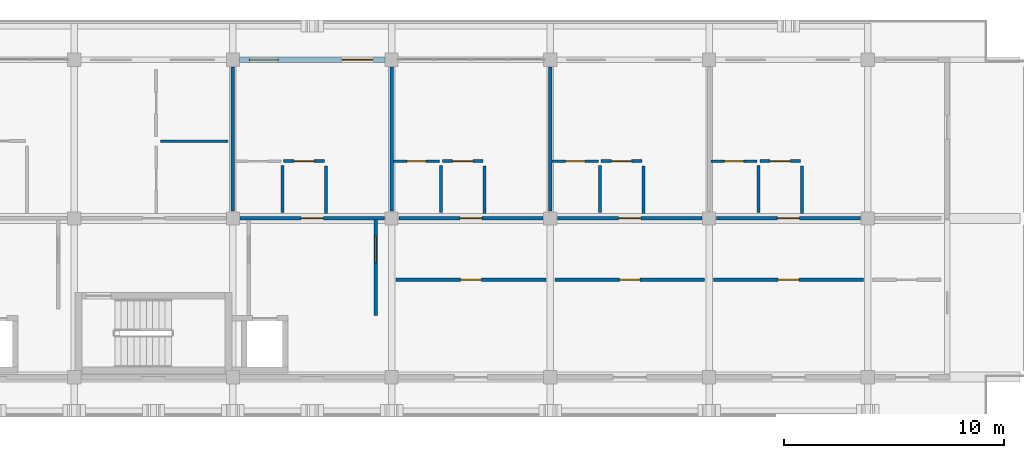
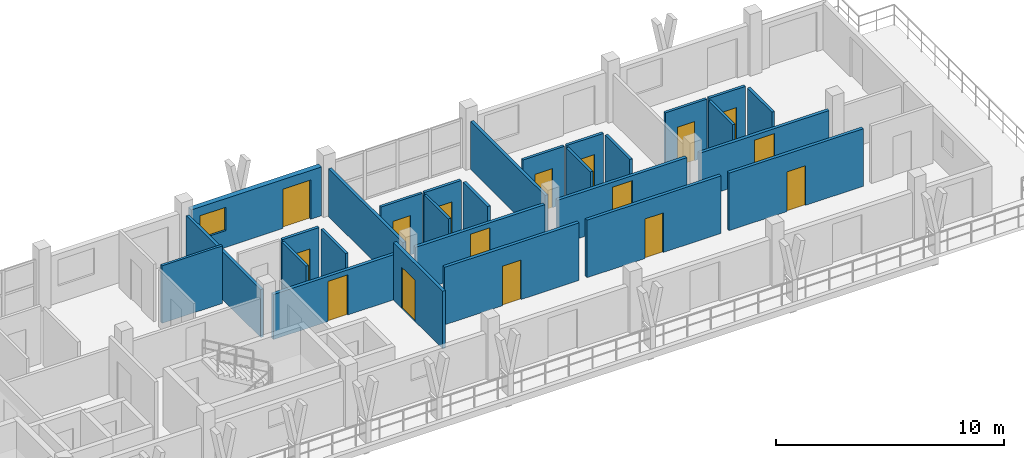
# One storey, part 38 of 60: 28 walls, 16 doors, 1 window, 17 openings.
"""IFC4 building model written with IfcOpenShell, lengths in metres."""

from ifc_helpers import new_model, si_unit, direction, frame, frame_2d, origin, place, context, subcontext, project, spatial, rectangle, extrude, material, layer, layer_set, type_object, element, fill, save


model = new_model("IFC4")

# Units and contexts
model_context = context("Model", 3, precision=1e-05, world=origin(), true_north=direction((0.0, 1.0)))
body_context = subcontext(model_context, "Body", "Model", "MODEL_VIEW")
ifc_project = project(units=[si_unit("LENGTHUNIT", "METRE"), si_unit("AREAUNIT", "SQUARE_METRE"), si_unit("VOLUMEUNIT", "CUBIC_METRE"), si_unit("PLANEANGLEUNIT", "RADIAN"), si_unit("MASSUNIT", "GRAM", prefix="KILO")], contexts=[model_context])

# Site, building, storey
site_placement = place(None, origin())
site = spatial("IfcSite", under=ifc_project, at=site_placement, CompositionType="ELEMENT")
building_placement = place(site_placement, origin())
building = spatial("IfcBuilding", under=site, at=building_placement, Name="Suanplinth Sawtooth Commons", CompositionType="ELEMENT")
storey_placement = place(building_placement, frame((0.0, 0.0, 31.5)))
storey = spatial("IfcBuildingStorey", under=building, at=storey_placement, Name="L09", CompositionType="ELEMENT", Elevation=31.5)

# Wall, openings, door, window
ifc_material_1 = material(Name="Precast concrete C40/50", Category="concrete")
ifc_layer_1 = layer(ifc_material_1, 0.260009765625, Name="Insulated precast courtyard facade wall 260mm")
ifc_layer_set_1 = layer_set([ifc_layer_1], Name="Precast concrete C40/50")
wall_type_1 = type_object("IfcWallType", Name="W-EX02", PredefinedType="ELEMENTEDWALL", material=ifc_layer_set_1)
wall_1_placement = place(storey_placement, frame((65.10009765625, 122.39990234375, 0.0), z_axis=(0.0, 0.0, 1.0), x_axis=(1.0, 0.0, 0.0)))
wall_1 = element("IfcWall", 1, at=wall_1_placement, inside=storey, type_object=wall_type_1, Name="Facade Wall W-L09-A-N-7", PredefinedType="ELEMENTEDWALL", context=body_context, shape_type="SweptSolid", body=[
    extrude(rectangle(XDim=6.599853515625, YDim=0.260009765625, at=frame_2d((3.2998046875, 0.0))), origin(), (0.0, 0.0, 1.0), 2.614990234375),
])
opening_1_placement = place(wall_1_placement, frame((4.64990234375, 0.0, 0.0)))
opening_1 = element("IfcOpeningElement", 2, at=opening_1_placement, cuts=wall_1, Name="Opening ED0697", PredefinedType="OPENING", context=body_context, shape_type="SweptSolid", body=[
    extrude(rectangle(XDim=1.39990234375, YDim=2.10009765625, at=frame_2d((0.699951171875, 1.050048828125))), frame((0.0, 0.14501953125, 0.0), z_axis=(0.0, -1.0, 0.0), x_axis=(1.0, 0.0, 0.0)), (0.0, 0.0, 1.0), 0.289794921875),
])
opening_2_placement = place(wall_1_placement, frame((0.449951171875, 0.0, 0.89990234375)))
opening_2 = element("IfcOpeningElement", 3, at=opening_2_placement, cuts=wall_1, Name="Opening W0779", PredefinedType="OPENING", context=body_context, shape_type="SweptSolid", body=[
    extrude(rectangle(XDim=1.300048828125, YDim=1.25, at=frame_2d((0.64990234375, 0.625))), frame((0.0, 0.14501953125, 0.0), z_axis=(0.0, -1.0, 0.0), x_axis=(1.0, 0.0, 0.0)), (0.0, 0.0, 1.0), 0.289794921875),
])
ifc_material_2 = material(Name="Anodized aluminium and low-E glass", Category="aluminium")
door_type_1 = type_object("IfcDoorType", Name="SD-07", OperationType="SLIDING_TO_RIGHT", PredefinedType="DOOR", material=ifc_material_2)
door_1_placement = place(opening_1_placement, frame((1.39990234375, 0.0, 0.0), z_axis=(0.0, 0.0, 1.0), x_axis=(-1.0, 0.0, 0.0)))
door_1 = element("IfcDoor", 4, at=door_1_placement, inside=storey, type_object=door_type_1, Name="Balcony Sliding Door L09-A-N-7", OperationType="SLIDING_TO_RIGHT", OverallHeight=2.10009765625, OverallWidth=1.39990234375, PredefinedType="DOOR", context=body_context, shape_type="SweptSolid", body=[
    extrude(rectangle(XDim=1.39990234375, YDim=2.10009765625, at=frame_2d((0.699951171875, 1.050048828125))), frame((0.0, 0.02490234375, 0.0), z_axis=(0.0, -1.0, 0.0), x_axis=(1.0, 0.0, 0.0)), (0.0, 0.0, 1.0), 0.050048828125),
])
fill(opening_1, door_1)
ifc_material_3 = material(Name="Thermally broken aluminium and low-E double glazing", Category="aluminium")
window_type = type_object("IfcWindowType", Name="WN-24", PartitioningType="SINGLE_PANEL", PredefinedType="WINDOW", material=ifc_material_3)
window_placement = place(opening_2_placement, origin())
window = element("IfcWindow", 5, at=window_placement, inside=storey, type_object=window_type, Name="Window L09-A-N-7", OverallHeight=1.25, OverallWidth=1.300048828125, PartitioningType="SINGLE_PANEL", PredefinedType="WINDOW", context=body_context, shape_type="SweptSolid", body=[
    extrude(rectangle(XDim=1.300048828125, YDim=1.25, at=frame_2d((0.64990234375, 0.625))), frame((0.0, 0.030029296875, 0.0), z_axis=(0.0, -1.0, 0.0), x_axis=(1.0, 0.0, 0.0)), (0.0, 0.0, 1.0), 0.06005859375),
])
fill(opening_2, window)

# Wall, opening, door
ifc_layer_2 = layer(ifc_material_1, 0.159912109375, Name="Fire-rated corridor and lobby wall 160mm")
ifc_layer_set_2 = layer_set([ifc_layer_2], Name="Precast concrete C40/50")
wall_type_2 = type_object("IfcWallType", Name="W-FW01", PredefinedType="PARTITIONING", material=ifc_layer_set_2)
wall_2_placement = place(storey_placement, frame((71.280029296875, 110.800048828125, 0.0), z_axis=(0.0, 0.0, 1.0), x_axis=(0.0, 1.0, 0.0)))
wall_2 = element("IfcWall", 6, at=wall_2_placement, inside=storey, type_object=wall_type_2, Name="W-L09-C-A2-LOB-E", PredefinedType="PARTITIONING", context=body_context, shape_type="SweptSolid", body=[
    extrude(rectangle(XDim=4.320068359375, YDim=0.159912109375, at=frame_2d((2.16015625, 0.0))), origin(), (0.0, 0.0, 1.0), 3.080078125),
])
opening_3_placement = place(wall_2_placement, frame((2.39990234375, 0.0, 0.0)))
opening_3 = element("IfcOpeningElement", 7, at=opening_3_placement, cuts=wall_2, Name="Opening FD0128", PredefinedType="OPENING", context=body_context, shape_type="SweptSolid", body=[
    extrude(rectangle(XDim=1.199951171875, YDim=2.199951171875, at=frame_2d((0.60009765625, 1.10009765625))), frame((0.0, 0.0947265625, 0.0), z_axis=(0.0, -1.0, 0.0), x_axis=(1.0, 0.0, 0.0)), (0.0, 0.0, 1.0), 0.189697265625),
])
ifc_material_4 = material(Name="Teak hardwood fire-rated door assembly", Category="wood")
door_type_2 = type_object("IfcDoorType", Name="FD-02", OperationType="NOTDEFINED", PredefinedType="DOOR", material=ifc_material_4)
door_2_placement = place(opening_3_placement, frame((1.199951171875, 0.0, 0.0), z_axis=(0.0, 0.0, 1.0), x_axis=(-1.0, 0.0, 0.0)))
door_2 = element("IfcDoor", 8, at=door_2_placement, inside=storey, type_object=door_type_2, Name="Lobby Fire Door FD0128", OperationType="SINGLE_SWING_LEFT", OverallHeight=2.199951171875, OverallWidth=1.199951171875, PredefinedType="DOOR", context=body_context, shape_type="SweptSolid", body=[
    extrude(rectangle(XDim=1.199951171875, YDim=2.199951171875, at=frame_2d((0.60009765625, 1.10009765625))), frame((0.0, 0.02490234375, 0.0), z_axis=(0.0, -1.0, 0.0), x_axis=(1.0, 0.0, 0.0)), (0.0, 0.0, 1.0), 0.050048828125),
])
fill(opening_3, door_2)

wall_3_placement = place(storey_placement, frame((65.1298828125, 115.199951171875, 0.0), z_axis=(0.0, 0.0, 1.0), x_axis=(1.0, 0.0, 0.0)))
wall_3 = element("IfcWall", 9, at=wall_3_placement, inside=storey, type_object=wall_type_2, Name="W-A-L09-U05-COR", PredefinedType="PARTITIONING", context=body_context, shape_type="SweptSolid", body=[
    extrude(rectangle(XDim=6.5400390625, YDim=0.159912109375, at=frame_2d((3.27001953125, 0.0))), origin(), (0.0, 0.0, 1.0), 2.4150390625),
])
opening_4_placement = place(wall_3_placement, frame((2.77001953125, 0.0, 0.0)))
opening_4 = element("IfcOpeningElement", 10, at=opening_4_placement, cuts=wall_3, Name="Opening FD1773", PredefinedType="OPENING", context=body_context, shape_type="SweptSolid", body=[
    extrude(rectangle(XDim=1.0, YDim=2.14990234375, at=frame_2d((0.5, 1.074951171875))), frame((0.0, 0.0947265625, 0.0), z_axis=(0.0, -1.0, 0.0), x_axis=(1.0, 0.0, 0.0)), (0.0, 0.0, 1.0), 0.189697265625),
])
door_type_3 = type_object("IfcDoorType", Name="FD-03", OperationType="NOTDEFINED", PredefinedType="DOOR", material=ifc_material_4)
door_3_placement = place(opening_4_placement, origin())
door_3 = element("IfcDoor", 11, at=door_3_placement, inside=storey, type_object=door_type_3, Name="Unit Entrance Door FD1773", OperationType="SINGLE_SWING_LEFT", OverallHeight=2.14990234375, OverallWidth=1.0, PredefinedType="DOOR", context=body_context, shape_type="SweptSolid", body=[
    extrude(rectangle(XDim=1.0, YDim=2.14990234375, at=frame_2d((0.5, 1.074951171875))), frame((0.0, 0.02490234375, 0.0), z_axis=(0.0, -1.0, 0.0), x_axis=(1.0, 0.0, 0.0)), (0.0, 0.0, 1.0), 0.050048828125),
])
fill(opening_4, door_3)

wall_4_placement = place(storey_placement, frame((72.330078125, 115.199951171875, 0.0), z_axis=(0.0, 0.0, 1.0), x_axis=(1.0, 0.0, 0.0)))
wall_4 = element("IfcWall", 12, at=wall_4_placement, inside=storey, type_object=wall_type_2, Name="W-A-L09-U06-COR", PredefinedType="PARTITIONING", context=body_context, shape_type="SweptSolid", body=[
    extrude(rectangle(XDim=6.5400390625, YDim=0.159912109375, at=frame_2d((3.27001953125, 0.0))), origin(), (0.0, 0.0, 1.0), 2.4150390625),
])
opening_5_placement = place(wall_4_placement, frame((2.77001953125, 0.0, 0.0)))
opening_5 = element("IfcOpeningElement", 13, at=opening_5_placement, cuts=wall_4, Name="Opening FD1776", PredefinedType="OPENING", context=body_context, shape_type="SweptSolid", body=[
    extrude(rectangle(XDim=1.0, YDim=2.14990234375, at=frame_2d((0.5, 1.074951171875))), frame((0.0, 0.0947265625, 0.0), z_axis=(0.0, -1.0, 0.0), x_axis=(1.0, 0.0, 0.0)), (0.0, 0.0, 1.0), 0.189697265625),
])
door_4_placement = place(opening_5_placement, origin())
door_4 = element("IfcDoor", 14, at=door_4_placement, inside=storey, type_object=door_type_3, Name="Unit Entrance Door FD1776", OperationType="SINGLE_SWING_RIGHT", OverallHeight=2.14990234375, OverallWidth=1.0, PredefinedType="DOOR", context=body_context, shape_type="SweptSolid", body=[
    extrude(rectangle(XDim=1.0, YDim=2.14990234375, at=frame_2d((0.5, 1.074951171875))), frame((0.0, 0.02490234375, 0.0), z_axis=(0.0, -1.0, 0.0), x_axis=(1.0, 0.0, 0.0)), (0.0, 0.0, 1.0), 0.050048828125),
])
fill(opening_5, door_4)

wall_5_placement = place(storey_placement, frame((79.530029296875, 115.199951171875, 0.0), z_axis=(0.0, 0.0, 1.0), x_axis=(1.0, 0.0, 0.0)))
wall_5 = element("IfcWall", 15, at=wall_5_placement, inside=storey, type_object=wall_type_2, Name="W-A-L09-U07-COR", PredefinedType="PARTITIONING", context=body_context, shape_type="SweptSolid", body=[
    extrude(rectangle(XDim=6.5400390625, YDim=0.159912109375, at=frame_2d((3.27001953125, 0.0))), origin(), (0.0, 0.0, 1.0), 2.4150390625),
])
opening_6_placement = place(wall_5_placement, frame((2.77001953125, 0.0, 0.0)))
opening_6 = element("IfcOpeningElement", 16, at=opening_6_placement, cuts=wall_5, Name="Opening FD1779", PredefinedType="OPENING", context=body_context, shape_type="SweptSolid", body=[
    extrude(rectangle(XDim=1.0, YDim=2.14990234375, at=frame_2d((0.5, 1.074951171875))), frame((0.0, 0.0947265625, 0.0), z_axis=(0.0, -1.0, 0.0), x_axis=(1.0, 0.0, 0.0)), (0.0, 0.0, 1.0), 0.189697265625),
])
door_5_placement = place(opening_6_placement, origin())
door_5 = element("IfcDoor", 17, at=door_5_placement, inside=storey, type_object=door_type_3, Name="Unit Entrance Door FD1779", OperationType="SINGLE_SWING_LEFT", OverallHeight=2.14990234375, OverallWidth=1.0, PredefinedType="DOOR", context=body_context, shape_type="SweptSolid", body=[
    extrude(rectangle(XDim=1.0, YDim=2.14990234375, at=frame_2d((0.5, 1.074951171875))), frame((0.0, 0.02490234375, 0.0), z_axis=(0.0, -1.0, 0.0), x_axis=(1.0, 0.0, 0.0)), (0.0, 0.0, 1.0), 0.050048828125),
])
fill(opening_6, door_5)

wall_6_placement = place(storey_placement, frame((86.72998046875, 115.199951171875, 0.0), z_axis=(0.0, 0.0, 1.0), x_axis=(1.0, 0.0, 0.0)))
wall_6 = element("IfcWall", 18, at=wall_6_placement, inside=storey, type_object=wall_type_2, Name="W-A-L09-U08-COR-S1", PredefinedType="PARTITIONING", context=body_context, shape_type="SweptSolid", body=[
    extrude(rectangle(XDim=6.5400390625, YDim=0.159912109375, at=frame_2d((3.27001953125, 0.0))), origin(), (0.0, 0.0, 1.0), 2.4150390625),
])
opening_7_placement = place(wall_6_placement, frame((2.77001953125, 0.0, 0.0)))
opening_7 = element("IfcOpeningElement", 19, at=opening_7_placement, cuts=wall_6, Name="Opening FD1782", PredefinedType="OPENING", context=body_context, shape_type="SweptSolid", body=[
    extrude(rectangle(XDim=1.0, YDim=2.14990234375, at=frame_2d((0.5, 1.074951171875))), frame((0.0, 0.0947265625, 0.0), z_axis=(0.0, -1.0, 0.0), x_axis=(1.0, 0.0, 0.0)), (0.0, 0.0, 1.0), 0.189697265625),
])
door_6_placement = place(opening_7_placement, origin())
door_6 = element("IfcDoor", 20, at=door_6_placement, inside=storey, type_object=door_type_3, Name="Unit Entrance Door FD1782", OperationType="SINGLE_SWING_RIGHT", OverallHeight=2.14990234375, OverallWidth=1.0, PredefinedType="DOOR", context=body_context, shape_type="SweptSolid", body=[
    extrude(rectangle(XDim=1.0, YDim=2.14990234375, at=frame_2d((0.5, 1.074951171875))), frame((0.0, 0.02490234375, 0.0), z_axis=(0.0, -1.0, 0.0), x_axis=(1.0, 0.0, 0.0)), (0.0, 0.0, 1.0), 0.050048828125),
])
fill(opening_7, door_6)

wall_7_placement = place(storey_placement, frame((72.199951171875, 112.419921875, 0.0), z_axis=(0.0, 0.0, 1.0), x_axis=(1.0, 0.0, 0.0)))
wall_7 = element("IfcWall", 21, at=wall_7_placement, inside=storey, type_object=wall_type_2, Name="W-A-L09-COURTROOM-12-COR", PredefinedType="PARTITIONING", context=body_context, shape_type="SweptSolid", body=[
    extrude(rectangle(XDim=6.800048828125, YDim=0.159912109375, at=frame_2d((3.39990234375, 0.0))), origin(), (0.0, 0.0, 1.0), 3.080078125),
])
opening_8_placement = place(wall_7_placement, frame((2.929931640625, 0.0, 0.0)))
opening_8 = element("IfcOpeningElement", 22, at=opening_8_placement, cuts=wall_7, Name="Opening D1789", PredefinedType="OPENING", context=body_context, shape_type="SweptSolid", body=[
    extrude(rectangle(XDim=0.93994140625, YDim=2.1201171875, at=frame_2d((0.469970703125, 1.06005859375))), frame((0.0, 0.0947265625, 0.0), z_axis=(0.0, -1.0, 0.0), x_axis=(1.0, 0.0, 0.0)), (0.0, 0.0, 1.0), 0.189697265625),
])
ifc_material_5 = material(Name="Teak hardwood", Category="wood")
door_type_4 = type_object("IfcDoorType", Name="D-15", OperationType="NOTDEFINED", PredefinedType="DOOR", material=ifc_material_5)
door_7_placement = place(opening_8_placement, frame((0.93994140625, 0.0, 0.0), z_axis=(0.0, 0.0, 1.0), x_axis=(-1.0, 0.0, 0.0)))
door_7 = element("IfcDoor", 23, at=door_7_placement, inside=storey, type_object=door_type_4, Name="Study Studio Door D1789", OperationType="SINGLE_SWING_LEFT", OverallHeight=2.1201171875, OverallWidth=0.93994140625, PredefinedType="DOOR", context=body_context, shape_type="SweptSolid", body=[
    extrude(rectangle(XDim=0.93994140625, YDim=2.1201171875, at=frame_2d((0.469970703125, 1.06005859375))), frame((0.0, 0.02490234375, 0.0), z_axis=(0.0, -1.0, 0.0), x_axis=(1.0, 0.0, 0.0)), (0.0, 0.0, 1.0), 0.050048828125),
])
fill(opening_8, door_7)

wall_8_placement = place(storey_placement, frame((79.39990234375, 112.419921875, 0.0), z_axis=(0.0, 0.0, 1.0), x_axis=(1.0, 0.0, 0.0)))
wall_8 = element("IfcWall", 24, at=wall_8_placement, inside=storey, type_object=wall_type_2, Name="W-A-L09-COURTROOM-13-COR", PredefinedType="PARTITIONING", context=body_context, shape_type="SweptSolid", body=[
    extrude(rectangle(XDim=6.800048828125, YDim=0.159912109375, at=frame_2d((3.39990234375, 0.0))), origin(), (0.0, 0.0, 1.0), 3.080078125),
])
opening_9_placement = place(wall_8_placement, frame((2.929931640625, 0.0, 0.0)))
opening_9 = element("IfcOpeningElement", 25, at=opening_9_placement, cuts=wall_8, Name="Opening D1790", PredefinedType="OPENING", context=body_context, shape_type="SweptSolid", body=[
    extrude(rectangle(XDim=0.93994140625, YDim=2.1201171875, at=frame_2d((0.469970703125, 1.06005859375))), frame((0.0, 0.0947265625, 0.0), z_axis=(0.0, -1.0, 0.0), x_axis=(1.0, 0.0, 0.0)), (0.0, 0.0, 1.0), 0.189697265625),
])
door_8_placement = place(opening_9_placement, frame((0.93994140625, 0.0, 0.0), z_axis=(0.0, 0.0, 1.0), x_axis=(-1.0, 0.0, 0.0)))
door_8 = element("IfcDoor", 26, at=door_8_placement, inside=storey, type_object=door_type_4, Name="Study Studio Door D1790", OperationType="SINGLE_SWING_RIGHT", OverallHeight=2.1201171875, OverallWidth=0.93994140625, PredefinedType="DOOR", context=body_context, shape_type="SweptSolid", body=[
    extrude(rectangle(XDim=0.93994140625, YDim=2.1201171875, at=frame_2d((0.469970703125, 1.06005859375))), frame((0.0, 0.02490234375, 0.0), z_axis=(0.0, -1.0, 0.0), x_axis=(1.0, 0.0, 0.0)), (0.0, 0.0, 1.0), 0.050048828125),
])
fill(opening_9, door_8)

wall_9_placement = place(storey_placement, frame((86.60009765625, 112.419921875, 0.0), z_axis=(0.0, 0.0, 1.0), x_axis=(1.0, 0.0, 0.0)))
wall_9 = element("IfcWall", 27, at=wall_9_placement, inside=storey, type_object=wall_type_2, Name="W-A-L09-COURTROOM-14-COR", PredefinedType="PARTITIONING", context=body_context, shape_type="SweptSolid", body=[
    extrude(rectangle(XDim=6.7998046875, YDim=0.159912109375, at=frame_2d((3.39990234375, 0.0))), origin(), (0.0, 0.0, 1.0), 3.080078125),
])
opening_10_placement = place(wall_9_placement, frame((2.929931640625, 0.0, 0.0)))
opening_10 = element("IfcOpeningElement", 28, at=opening_10_placement, cuts=wall_9, Name="Opening D1791", PredefinedType="OPENING", context=body_context, shape_type="SweptSolid", body=[
    extrude(rectangle(XDim=0.93994140625, YDim=2.1201171875, at=frame_2d((0.469970703125, 1.06005859375))), frame((0.0, 0.0947265625, 0.0), z_axis=(0.0, -1.0, 0.0), x_axis=(1.0, 0.0, 0.0)), (0.0, 0.0, 1.0), 0.189697265625),
])
door_9_placement = place(opening_10_placement, frame((0.93994140625, 0.0, 0.0), z_axis=(0.0, 0.0, 1.0), x_axis=(-1.0, 0.0, 0.0)))
door_9 = element("IfcDoor", 29, at=door_9_placement, inside=storey, type_object=door_type_4, Name="Study Studio Door D1791", OperationType="SINGLE_SWING_LEFT", OverallHeight=2.1201171875, OverallWidth=0.93994140625, PredefinedType="DOOR", context=body_context, shape_type="SweptSolid", body=[
    extrude(rectangle(XDim=0.93994140625, YDim=2.1201171875, at=frame_2d((0.469970703125, 1.06005859375))), frame((0.0, 0.02490234375, 0.0), z_axis=(0.0, -1.0, 0.0), x_axis=(1.0, 0.0, 0.0)), (0.0, 0.0, 1.0), 0.050048828125),
])
fill(opening_10, door_9)

# Walls
ifc_layer_3 = layer(ifc_material_1, 0.14990234375, Name="Acoustic precast party demising wall 150mm")
ifc_layer_set_3 = layer_set([ifc_layer_3], Name="Precast concrete C40/50")
wall_type_3 = type_object("IfcWallType", Name="W-FW02", PredefinedType="PARTITIONING", material=ifc_layer_set_3)
for number, where, z_axis, x_axis, name in (
    (30, (64.800048828125, 115.530029296875, 0.0), (0.0, 0.0, 1.0), (0.0, 1.0, 0.0), "W-A-L09-U04-PTY"),
    (31, (72.0, 115.530029296875, 0.0), (0.0, 0.0, 1.0), (0.0, 1.0, 0.0), "W-A-L09-U05-PTY"),
    (32, (79.199951171875, 115.530029296875, 0.0), (0.0, 0.0, 1.0), (0.0, 1.0, 0.0), "W-A-L09-U06-PTY"),
):
    element("IfcWall", number, at=place(storey_placement, frame(where, z_axis=z_axis, x_axis=x_axis)), inside=storey, type_object=wall_type_3, Name=name, PredefinedType="PARTITIONING", context=body_context, shape_type="SweptSolid", body=[
        extrude(rectangle(XDim=6.5400390625, YDim=0.14990234375, at=frame_2d((3.27001953125, 0.0))), origin(), (0.0, 0.0, 1.0), 2.56494140625),
    ])

# Wall, opening, door
ifc_material_6 = material(Name="Gypsum plasterboard on steel stud", Category="steel")
ifc_layer_4 = layer(ifc_material_6, 0.139892578125, Name="Fire-rated kitchen partition 140mm")
ifc_layer_set_4 = layer_set([ifc_layer_4], Name="Gypsum plasterboard on steel stud")
wall_type_4 = type_object("IfcWallType", Name="W-PT01", PredefinedType="PARTITIONING", material=ifc_layer_set_4)
wall_10_placement = place(storey_placement, frame((67.10009765625, 117.800048828125, 0.0), z_axis=(0.0, 0.0, 1.0), x_axis=(1.0, 0.0, 0.0)))
wall_10 = element("IfcWall", 33, at=wall_10_placement, inside=storey, type_object=wall_type_4, Name="W-A-L09-U05-KIT1", PredefinedType="PARTITIONING", context=body_context, shape_type="SweptSolid", body=[
    extrude(rectangle(XDim=1.849853515625, YDim=0.139892578125, at=frame_2d((0.9248046875, 0.0))), origin(), (0.0, 0.0, 1.0), 3.080078125),
])
opening_11_placement = place(wall_10_placement, frame((0.465087890625, 0.0, 0.0)))
opening_11 = element("IfcOpeningElement", 34, at=opening_11_placement, cuts=wall_10, Name="Opening D1775", PredefinedType="OPENING", context=body_context, shape_type="SweptSolid", body=[
    extrude(rectangle(XDim=0.919921875, YDim=2.10009765625, at=frame_2d((0.4599609375, 1.050048828125))), frame((0.0, 0.0849609375, 0.0), z_axis=(0.0, -1.0, 0.0), x_axis=(1.0, 0.0, 0.0)), (0.0, 0.0, 1.0), 0.169677734375),
])
door_type_5 = type_object("IfcDoorType", Name="D-02", OperationType="NOTDEFINED", PredefinedType="DOOR", material=ifc_material_5)
door_10_placement = place(opening_11_placement, frame((0.919921875, 0.0, 0.0), z_axis=(0.0, 0.0, 1.0), x_axis=(-1.0, 0.0, 0.0)))
door_10 = element("IfcDoor", 35, at=door_10_placement, inside=storey, type_object=door_type_5, Name="Kitchen Door D1775", OperationType="SINGLE_SWING_LEFT", OverallHeight=2.10009765625, OverallWidth=0.919921875, PredefinedType="DOOR", context=body_context, shape_type="SweptSolid", body=[
    extrude(rectangle(XDim=0.919921875, YDim=2.10009765625, at=frame_2d((0.4599609375, 1.050048828125))), frame((0.0, 0.02490234375, 0.0), z_axis=(0.0, -1.0, 0.0), x_axis=(1.0, 0.0, 0.0)), (0.0, 0.0, 1.0), 0.050048828125),
])
fill(opening_11, door_10)

# Wall
wall_11_placement = place(storey_placement, frame((69.02001953125, 115.429931640625, 0.0), z_axis=(0.0, 0.0, 1.0), x_axis=(0.0, 1.0, 0.0)))
element("IfcWall", 36, at=wall_11_placement, inside=storey, type_object=wall_type_4, Name="W-A-L09-U05-KIT2", PredefinedType="PARTITIONING", context=body_context, shape_type="SweptSolid", body=[
    extrude(rectangle(XDim=2.150146484375, YDim=0.139892578125, at=frame_2d((1.0751953125, 0.0))), origin(), (0.0, 0.0, 1.0), 3.080078125),
])

# Wall, opening, door
wall_12_placement = place(storey_placement, frame((74.300048828125, 117.800048828125, 0.0), z_axis=(0.0, 0.0, 1.0), x_axis=(1.0, 0.0, 0.0)))
wall_12 = element("IfcWall", 37, at=wall_12_placement, inside=storey, type_object=wall_type_4, Name="W-A-L09-U06-KIT1", PredefinedType="PARTITIONING", context=body_context, shape_type="SweptSolid", body=[
    extrude(rectangle(XDim=1.849853515625, YDim=0.139892578125, at=frame_2d((0.9248046875, 0.0))), origin(), (0.0, 0.0, 1.0), 3.080078125),
])
opening_12_placement = place(wall_12_placement, frame((0.465087890625, 0.0, 0.0)))
opening_12 = element("IfcOpeningElement", 38, at=opening_12_placement, cuts=wall_12, Name="Opening D1778", PredefinedType="OPENING", context=body_context, shape_type="SweptSolid", body=[
    extrude(rectangle(XDim=0.919921875, YDim=2.10009765625, at=frame_2d((0.4599609375, 1.050048828125))), frame((0.0, 0.0849609375, 0.0), z_axis=(0.0, -1.0, 0.0), x_axis=(1.0, 0.0, 0.0)), (0.0, 0.0, 1.0), 0.169677734375),
])
door_11_placement = place(opening_12_placement, frame((0.919921875, 0.0, 0.0), z_axis=(0.0, 0.0, 1.0), x_axis=(-1.0, 0.0, 0.0)))
door_11 = element("IfcDoor", 39, at=door_11_placement, inside=storey, type_object=door_type_5, Name="Kitchen Door D1778", OperationType="SINGLE_SWING_RIGHT", OverallHeight=2.10009765625, OverallWidth=0.919921875, PredefinedType="DOOR", context=body_context, shape_type="SweptSolid", body=[
    extrude(rectangle(XDim=0.919921875, YDim=2.10009765625, at=frame_2d((0.4599609375, 1.050048828125))), frame((0.0, 0.02490234375, 0.0), z_axis=(0.0, -1.0, 0.0), x_axis=(1.0, 0.0, 0.0)), (0.0, 0.0, 1.0), 0.050048828125),
])
fill(opening_12, door_11)

# Wall
wall_13_placement = place(storey_placement, frame((76.219970703125, 115.429931640625, 0.0), z_axis=(0.0, 0.0, 1.0), x_axis=(0.0, 1.0, 0.0)))
element("IfcWall", 40, at=wall_13_placement, inside=storey, type_object=wall_type_4, Name="W-A-L09-U06-KIT2", PredefinedType="PARTITIONING", context=body_context, shape_type="SweptSolid", body=[
    extrude(rectangle(XDim=2.150146484375, YDim=0.139892578125, at=frame_2d((1.0751953125, 0.0))), origin(), (0.0, 0.0, 1.0), 3.080078125),
])

# Wall, opening, door
wall_14_placement = place(storey_placement, frame((81.5, 117.800048828125, 0.0), z_axis=(0.0, 0.0, 1.0), x_axis=(1.0, 0.0, 0.0)))
wall_14 = element("IfcWall", 41, at=wall_14_placement, inside=storey, type_object=wall_type_4, Name="W-A-L09-U07-KIT1", PredefinedType="PARTITIONING", context=body_context, shape_type="SweptSolid", body=[
    extrude(rectangle(XDim=1.85009765625, YDim=0.139892578125, at=frame_2d((0.925048828125, 0.0))), origin(), (0.0, 0.0, 1.0), 3.080078125),
])
opening_13_placement = place(wall_14_placement, frame((0.465087890625, 0.0, 0.0)))
opening_13 = element("IfcOpeningElement", 42, at=opening_13_placement, cuts=wall_14, Name="Opening D1781", PredefinedType="OPENING", context=body_context, shape_type="SweptSolid", body=[
    extrude(rectangle(XDim=0.919921875, YDim=2.10009765625, at=frame_2d((0.4599609375, 1.050048828125))), frame((0.0, 0.0849609375, 0.0), z_axis=(0.0, -1.0, 0.0), x_axis=(1.0, 0.0, 0.0)), (0.0, 0.0, 1.0), 0.169677734375),
])
door_12_placement = place(opening_13_placement, frame((0.919921875, 0.0, 0.0), z_axis=(0.0, 0.0, 1.0), x_axis=(-1.0, 0.0, 0.0)))
door_12 = element("IfcDoor", 43, at=door_12_placement, inside=storey, type_object=door_type_5, Name="Kitchen Door D1781", OperationType="SINGLE_SWING_LEFT", OverallHeight=2.10009765625, OverallWidth=0.919921875, PredefinedType="DOOR", context=body_context, shape_type="SweptSolid", body=[
    extrude(rectangle(XDim=0.919921875, YDim=2.10009765625, at=frame_2d((0.4599609375, 1.050048828125))), frame((0.0, 0.02490234375, 0.0), z_axis=(0.0, -1.0, 0.0), x_axis=(1.0, 0.0, 0.0)), (0.0, 0.0, 1.0), 0.050048828125),
])
fill(opening_13, door_12)

# Wall
wall_15_placement = place(storey_placement, frame((83.419921875, 115.429931640625, 0.0), z_axis=(0.0, 0.0, 1.0), x_axis=(0.0, 1.0, 0.0)))
element("IfcWall", 44, at=wall_15_placement, inside=storey, type_object=wall_type_4, Name="W-A-L09-U07-KIT2", PredefinedType="PARTITIONING", context=body_context, shape_type="SweptSolid", body=[
    extrude(rectangle(XDim=2.150146484375, YDim=0.139892578125, at=frame_2d((1.0751953125, 0.0))), origin(), (0.0, 0.0, 1.0), 3.080078125),
])

# Wall, opening, door
wall_16_placement = place(storey_placement, frame((88.699951171875, 117.800048828125, 0.0), z_axis=(0.0, 0.0, 1.0), x_axis=(1.0, 0.0, 0.0)))
wall_16 = element("IfcWall", 45, at=wall_16_placement, inside=storey, type_object=wall_type_4, Name="W-A-L09-U08-KIT1", PredefinedType="PARTITIONING", context=body_context, shape_type="SweptSolid", body=[
    extrude(rectangle(XDim=1.85009765625, YDim=0.139892578125, at=frame_2d((0.925048828125, 0.0))), origin(), (0.0, 0.0, 1.0), 3.080078125),
])
opening_14_placement = place(wall_16_placement, frame((0.465087890625, 0.0, 0.0)))
opening_14 = element("IfcOpeningElement", 46, at=opening_14_placement, cuts=wall_16, Name="Opening D1784", PredefinedType="OPENING", context=body_context, shape_type="SweptSolid", body=[
    extrude(rectangle(XDim=0.919921875, YDim=2.10009765625, at=frame_2d((0.4599609375, 1.050048828125))), frame((0.0, 0.0849609375, 0.0), z_axis=(0.0, -1.0, 0.0), x_axis=(1.0, 0.0, 0.0)), (0.0, 0.0, 1.0), 0.169677734375),
])
door_13_placement = place(opening_14_placement, frame((0.919921875, 0.0, 0.0), z_axis=(0.0, 0.0, 1.0), x_axis=(-1.0, 0.0, 0.0)))
door_13 = element("IfcDoor", 47, at=door_13_placement, inside=storey, type_object=door_type_5, Name="Kitchen Door D1784", OperationType="SINGLE_SWING_RIGHT", OverallHeight=2.10009765625, OverallWidth=0.919921875, PredefinedType="DOOR", context=body_context, shape_type="SweptSolid", body=[
    extrude(rectangle(XDim=0.919921875, YDim=2.10009765625, at=frame_2d((0.4599609375, 1.050048828125))), frame((0.0, 0.02490234375, 0.0), z_axis=(0.0, -1.0, 0.0), x_axis=(1.0, 0.0, 0.0)), (0.0, 0.0, 1.0), 0.050048828125),
])
fill(opening_14, door_13)

# Walls
wall_17_placement = place(storey_placement, frame((90.6201171875, 115.429931640625, 0.0), z_axis=(0.0, 0.0, 1.0), x_axis=(0.0, 1.0, 0.0)))
element("IfcWall", 48, at=wall_17_placement, inside=storey, type_object=wall_type_4, Name="W-A-L09-U08-KIT2", PredefinedType="PARTITIONING", context=body_context, shape_type="SweptSolid", body=[
    extrude(rectangle(XDim=2.150146484375, YDim=0.139892578125, at=frame_2d((1.0751953125, 0.0))), origin(), (0.0, 0.0, 1.0), 3.080078125),
])
ifc_layer_5 = layer(ifc_material_6, 0.1298828125, Name="Moisture-resistant bathroom partition 130mm")
ifc_layer_set_5 = layer_set([ifc_layer_5], Name="Gypsum plasterboard on steel stud")
wall_type_5 = type_object("IfcWallType", Name="W-PT02", PredefinedType="PARTITIONING", material=ifc_layer_set_5)
wall_18_placement = place(storey_placement, frame((67.044921875, 115.4599609375, 0.0), z_axis=(0.0, 0.0, 1.0), x_axis=(0.0, 1.0, 0.0)))
element("IfcWall", 49, at=wall_18_placement, inside=storey, type_object=wall_type_5, Name="W-A-L09-U05-BTH2", PredefinedType="PARTITIONING", context=body_context, shape_type="SweptSolid", body=[
    extrude(rectangle(XDim=2.130126953125, YDim=0.1298828125, at=frame_2d((1.06494140625, 0.0))), origin(), (0.0, 0.0, 1.0), 3.080078125),
])

# Wall, opening, door
wall_19_placement = place(storey_placement, frame((72.080078125, 117.794921875, 0.0), z_axis=(0.0, 0.0, 1.0), x_axis=(1.0, 0.0, 0.0)))
wall_19 = element("IfcWall", 50, at=wall_19_placement, inside=storey, type_object=wall_type_5, Name="W-A-L09-U06-BTH1", PredefinedType="PARTITIONING", context=body_context, shape_type="SweptSolid", body=[
    extrude(rectangle(XDim=2.099853515625, YDim=0.1298828125, at=frame_2d((1.0498046875, 0.0))), origin(), (0.0, 0.0, 1.0), 3.080078125),
])
opening_15_placement = place(wall_19_placement, frame((0.610107421875, 0.0, 0.0)))
opening_15 = element("IfcOpeningElement", 51, at=opening_15_placement, cuts=wall_19, Name="Opening D1777", PredefinedType="OPENING", context=body_context, shape_type="SweptSolid", body=[
    extrude(rectangle(XDim=0.8798828125, YDim=2.10009765625, at=frame_2d((0.43994140625, 1.050048828125))), frame((0.0, 0.079833984375, 0.0), z_axis=(0.0, -1.0, 0.0), x_axis=(1.0, 0.0, 0.0)), (0.0, 0.0, 1.0), 0.15966796875),
])
door_type_6 = type_object("IfcDoorType", Name="D-14", OperationType="NOTDEFINED", PredefinedType="DOOR", material=ifc_material_5)
door_14_placement = place(opening_15_placement, frame((0.8798828125, 0.0, 0.0), z_axis=(0.0, 0.0, 1.0), x_axis=(-1.0, 0.0, 0.0)))
door_14 = element("IfcDoor", 52, at=door_14_placement, inside=storey, type_object=door_type_6, Name="Bathroom Door D1777", OperationType="SINGLE_SWING_LEFT", OverallHeight=2.10009765625, OverallWidth=0.8798828125, PredefinedType="DOOR", context=body_context, shape_type="SweptSolid", body=[
    extrude(rectangle(XDim=0.8798828125, YDim=2.10009765625, at=frame_2d((0.43994140625, 1.050048828125))), frame((0.0, 0.02490234375, 0.0), z_axis=(0.0, -1.0, 0.0), x_axis=(1.0, 0.0, 0.0)), (0.0, 0.0, 1.0), 0.050048828125),
])
fill(opening_15, door_14)

# Wall
wall_20_placement = place(storey_placement, frame((74.2451171875, 115.4599609375, 0.0), z_axis=(0.0, 0.0, 1.0), x_axis=(0.0, 1.0, 0.0)))
element("IfcWall", 53, at=wall_20_placement, inside=storey, type_object=wall_type_5, Name="W-A-L09-U06-BTH2", PredefinedType="PARTITIONING", context=body_context, shape_type="SweptSolid", body=[
    extrude(rectangle(XDim=2.130126953125, YDim=0.1298828125, at=frame_2d((1.06494140625, 0.0))), origin(), (0.0, 0.0, 1.0), 3.080078125),
])

# Wall, opening, door
wall_21_placement = place(storey_placement, frame((79.280029296875, 117.794921875, 0.0), z_axis=(0.0, 0.0, 1.0), x_axis=(1.0, 0.0, 0.0)))
wall_21 = element("IfcWall", 54, at=wall_21_placement, inside=storey, type_object=wall_type_5, Name="W-A-L09-U07-BTH1", PredefinedType="PARTITIONING", context=body_context, shape_type="SweptSolid", body=[
    extrude(rectangle(XDim=2.099853515625, YDim=0.1298828125, at=frame_2d((1.0498046875, 0.0))), origin(), (0.0, 0.0, 1.0), 3.080078125),
])
opening_16_placement = place(wall_21_placement, frame((0.610107421875, 0.0, 0.0)))
opening_16 = element("IfcOpeningElement", 55, at=opening_16_placement, cuts=wall_21, Name="Opening D1780", PredefinedType="OPENING", context=body_context, shape_type="SweptSolid", body=[
    extrude(rectangle(XDim=0.8798828125, YDim=2.10009765625, at=frame_2d((0.43994140625, 1.050048828125))), frame((0.0, 0.079833984375, 0.0), z_axis=(0.0, -1.0, 0.0), x_axis=(1.0, 0.0, 0.0)), (0.0, 0.0, 1.0), 0.15966796875),
])
door_15_placement = place(opening_16_placement, frame((0.8798828125, 0.0, 0.0), z_axis=(0.0, 0.0, 1.0), x_axis=(-1.0, 0.0, 0.0)))
door_15 = element("IfcDoor", 56, at=door_15_placement, inside=storey, type_object=door_type_6, Name="Bathroom Door D1780", OperationType="SINGLE_SWING_RIGHT", OverallHeight=2.10009765625, OverallWidth=0.8798828125, PredefinedType="DOOR", context=body_context, shape_type="SweptSolid", body=[
    extrude(rectangle(XDim=0.8798828125, YDim=2.10009765625, at=frame_2d((0.43994140625, 1.050048828125))), frame((0.0, 0.02490234375, 0.0), z_axis=(0.0, -1.0, 0.0), x_axis=(1.0, 0.0, 0.0)), (0.0, 0.0, 1.0), 0.050048828125),
])
fill(opening_16, door_15)

# Wall
wall_22_placement = place(storey_placement, frame((81.445068359375, 115.4599609375, 0.0), z_axis=(0.0, 0.0, 1.0), x_axis=(0.0, 1.0, 0.0)))
element("IfcWall", 57, at=wall_22_placement, inside=storey, type_object=wall_type_5, Name="W-A-L09-U07-BTH2", PredefinedType="PARTITIONING", context=body_context, shape_type="SweptSolid", body=[
    extrude(rectangle(XDim=2.130126953125, YDim=0.1298828125, at=frame_2d((1.06494140625, 0.0))), origin(), (0.0, 0.0, 1.0), 3.080078125),
])

# Wall, opening, door
wall_23_placement = place(storey_placement, frame((86.47998046875, 117.794921875, 0.0), z_axis=(0.0, 0.0, 1.0), x_axis=(1.0, 0.0, 0.0)))
wall_23 = element("IfcWall", 58, at=wall_23_placement, inside=storey, type_object=wall_type_5, Name="W-A-L09-U08-BTH1", PredefinedType="PARTITIONING", context=body_context, shape_type="SweptSolid", body=[
    extrude(rectangle(XDim=2.10009765625, YDim=0.1298828125, at=frame_2d((1.050048828125, 0.0))), origin(), (0.0, 0.0, 1.0), 3.080078125),
])
opening_17_placement = place(wall_23_placement, frame((0.610107421875, 0.0, 0.0)))
opening_17 = element("IfcOpeningElement", 59, at=opening_17_placement, cuts=wall_23, Name="Opening D1783", PredefinedType="OPENING", context=body_context, shape_type="SweptSolid", body=[
    extrude(rectangle(XDim=0.8798828125, YDim=2.10009765625, at=frame_2d((0.43994140625, 1.050048828125))), frame((0.0, 0.079833984375, 0.0), z_axis=(0.0, -1.0, 0.0), x_axis=(1.0, 0.0, 0.0)), (0.0, 0.0, 1.0), 0.15966796875),
])
door_16_placement = place(opening_17_placement, frame((0.8798828125, 0.0, 0.0), z_axis=(0.0, 0.0, 1.0), x_axis=(-1.0, 0.0, 0.0)))
door_16 = element("IfcDoor", 60, at=door_16_placement, inside=storey, type_object=door_type_6, Name="Bathroom Door D1783", OperationType="SINGLE_SWING_LEFT", OverallHeight=2.10009765625, OverallWidth=0.8798828125, PredefinedType="DOOR", context=body_context, shape_type="SweptSolid", body=[
    extrude(rectangle(XDim=0.8798828125, YDim=2.10009765625, at=frame_2d((0.43994140625, 1.050048828125))), frame((0.0, 0.02490234375, 0.0), z_axis=(0.0, -1.0, 0.0), x_axis=(1.0, 0.0, 0.0)), (0.0, 0.0, 1.0), 0.050048828125),
])
fill(opening_17, door_16)

# Walls
wall_24_placement = place(storey_placement, frame((88.64501953125, 115.4599609375, 0.0), z_axis=(0.0, 0.0, 1.0), x_axis=(0.0, 1.0, 0.0)))
element("IfcWall", 61, at=wall_24_placement, inside=storey, type_object=wall_type_5, Name="W-A-L09-U08-BTH2", PredefinedType="PARTITIONING", context=body_context, shape_type="SweptSolid", body=[
    extrude(rectangle(XDim=2.130126953125, YDim=0.1298828125, at=frame_2d((1.06494140625, 0.0))), origin(), (0.0, 0.0, 1.0), 3.080078125),
])
ifc_layer_6 = layer(ifc_material_6, 0.125, Name="Acoustic study partition 125mm")
ifc_layer_set_6 = layer_set([ifc_layer_6], Name="Gypsum plasterboard on steel stud")
wall_type_6 = type_object("IfcWallType", Name="W-PT06", PredefinedType="PARTITIONING", material=ifc_layer_set_6)
wall_25_placement = place(storey_placement, frame((61.52001953125, 118.699951171875, 0.0), z_axis=(0.0, 0.0, 1.0), x_axis=(1.0, 0.0, 0.0)))
element("IfcWall", 62, at=wall_25_placement, inside=storey, type_object=wall_type_6, Name="W-A-L09-U04-BEDDIV", PredefinedType="PARTITIONING", context=body_context, shape_type="SweptSolid", body=[
    extrude(rectangle(XDim=3.06005859375, YDim=0.125, at=frame_2d((1.530029296875, 0.0))), origin(), (0.0, 0.0, 1.0), 3.080078125),
])

save(model, "model.ifc")
